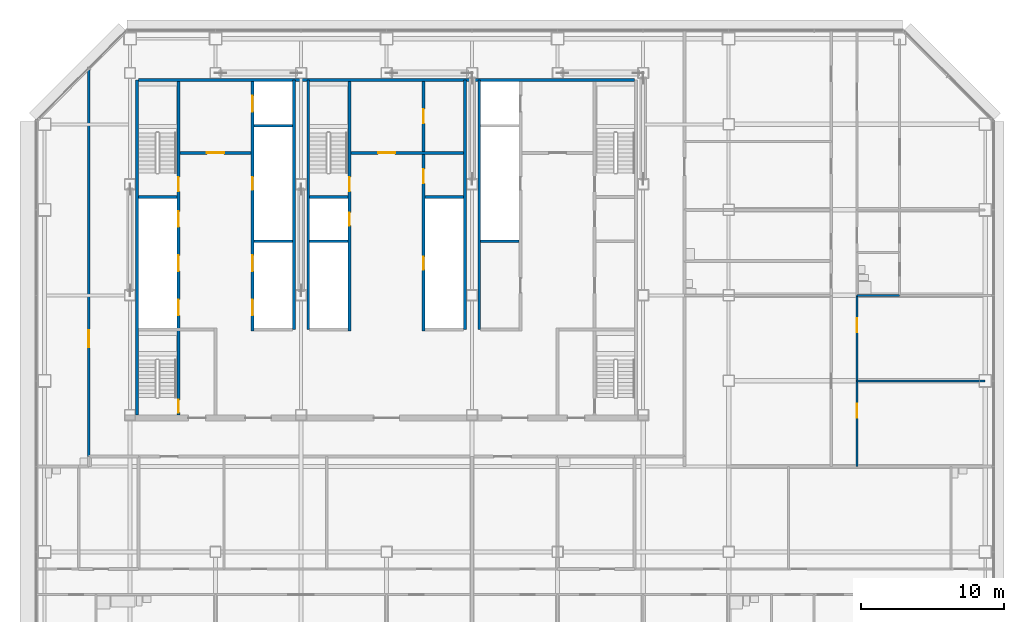
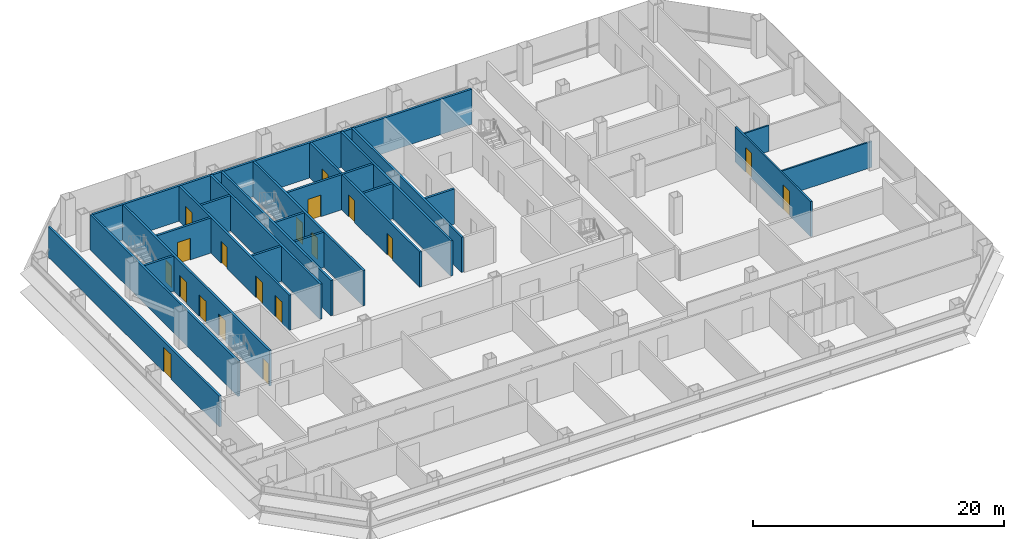
# One storey, part 22 of 27: 23 walls, 19 doors, 19 openings.
"""IFC4 building model written with IfcOpenShell, lengths in metres."""

from ifc_helpers import new_model, si_unit, direction, frame, frame_2d, origin, place, context, subcontext, project, spatial, rectangle, extrude, material, layer, layer_set, type_object, element, fill, save


model = new_model("IFC4")

# Units and contexts
model_context = context("Model", 3, precision=1e-05, world=origin(), true_north=direction((0.0, 1.0)))
body_context = subcontext(model_context, "Body", "Model", "MODEL_VIEW")
ifc_project = project(units=[si_unit("LENGTHUNIT", "METRE"), si_unit("AREAUNIT", "SQUARE_METRE"), si_unit("VOLUMEUNIT", "CUBIC_METRE"), si_unit("PLANEANGLEUNIT", "RADIAN"), si_unit("MASSUNIT", "GRAM", prefix="KILO")], contexts=[model_context])

# Site, building, storey
site_placement = place(None, origin())
site = spatial("IfcSite", under=ifc_project, at=site_placement, CompositionType="ELEMENT")
building_placement = place(site_placement, origin())
building = spatial("IfcBuilding", under=site, at=building_placement, Name="Sorahane Residences", CompositionType="ELEMENT")
storey_placement = place(building_placement, frame((0.0, 0.0, 75.0)))
storey = spatial("IfcBuildingStorey", under=building, at=storey_placement, Name="L15", CompositionType="ELEMENT", Elevation=75.0)

# Walls
ifc_material_1 = material(Name="Concrete C30", Category="concrete")
ifc_layer_1 = layer(ifc_material_1, 0.199951171875)
ifc_layer_set_1 = layer_set([ifc_layer_1], Name="Core face wall 200 EI 180")
wall_type_1 = type_object("IfcWallType", Name="Core face wall 200 EI 180", PredefinedType="SOLIDWALL", material=ifc_layer_set_1)
wall_1_placement = place(storey_placement, frame((6.5, 21.60009765625, 0.0), z_axis=(0.0, 0.0, 1.0), x_axis=(0.0, 1.0, 0.0)))
element("IfcWall", 1, at=wall_1_placement, inside=storey, type_object=wall_type_1, Name="L15 core face wall", PredefinedType="SOLIDWALL", context=body_context, shape_type="SweptSolid", body=[
    extrude(rectangle(XDim=23.5, YDim=0.199951171875, at=frame_2d((11.75, 0.0))), origin(), (0.0, 0.0, 1.0), 3.419921875),
])
wall_2_placement = place(storey_placement, frame((6.60009765625, 45.10009765625, 0.0), z_axis=(0.0, 0.0, 1.0), x_axis=(1.0, 0.0, 0.0)))
element("IfcWall", 2, at=wall_2_placement, inside=storey, type_object=wall_type_1, Name="L15 core face wall", PredefinedType="SOLIDWALL", context=body_context, shape_type="SweptSolid", body=[
    extrude(rectangle(XDim=34.7998046875, YDim=0.199951171875, at=frame_2d((17.39990234375, 0.0))), origin(), (0.0, 0.0, 1.0), 3.419921875),
])
for number, where, z_axis, x_axis, name in (
    (3, (17.5, 27.60009765625, 0.0), (0.0, 0.0, 1.0), (0.0, 1.0, 0.0), "L15 core face wall"),
    (4, (18.5, 27.60009765625, 0.0), (0.0, 0.0, 1.0), (0.0, 1.0, 0.0), "L15 core face wall"),
    (5, (29.5, 27.60009765625, 0.0), (0.0, 0.0, 1.0), (0.0, 1.0, 0.0), "L15 core face wall"),
    (6, (30.5, 27.60009765625, 0.0), (0.0, 0.0, 1.0), (0.0, 1.0, 0.0), "L15 core face wall"),
):
    element("IfcWall", number, at=place(storey_placement, frame(where, z_axis=z_axis, x_axis=x_axis)), inside=storey, type_object=wall_type_1, Name=name, PredefinedType="SOLIDWALL", context=body_context, shape_type="SweptSolid", body=[
        extrude(rectangle(XDim=17.5, YDim=0.199951171875, at=frame_2d((8.75, 0.0))), origin(), (0.0, 0.0, 1.0), 3.419921875),
    ])

# Wall, opening, door
ifc_material_2 = material(Name="Concrete blockwork C20 wall", Category="masonry")
ifc_layer_2 = layer(ifc_material_2, 0.199951171875)
ifc_layer_set_2 = layer_set([ifc_layer_2], Name="Corridor wall 200 EI 120")
wall_type_2 = type_object("IfcWallType", Name="Corridor wall 200 EI 120", PredefinedType="SOLIDWALL", material=ifc_layer_set_2)
wall_3_placement = place(storey_placement, frame((3.10009765625, 18.699951171875, 0.0), z_axis=(0.0, 0.0, 1.0), x_axis=(0.0, 1.0, 0.0)))
wall_3 = element("IfcWall", 7, at=wall_3_placement, inside=storey, type_object=wall_type_2, Name="L15 corridor wall", PredefinedType="SOLIDWALL", context=body_context, shape_type="SweptSolid", body=[
    extrude(rectangle(XDim=27.2490234375, YDim=0.199951171875, at=frame_2d((13.62451171875, 0.0))), origin(), (0.0, 0.0, 1.0), 2.969970703125),
])
opening_1_placement = place(wall_3_placement, frame((7.659912109375, 0.0, 0.0)))
opening_1 = element("IfcOpeningElement", 8, at=opening_1_placement, cuts=wall_3, Name="Opening L15-41", PredefinedType="OPENING", context=body_context, shape_type="SweptSolid", body=[
    extrude(rectangle(XDim=1.199951171875, YDim=2.39990234375, at=frame_2d((0.60009765625, 1.199951171875))), frame((0.0, 0.10986328125, 0.0), z_axis=(0.0, -1.0, 0.0), x_axis=(1.0, 0.0, 0.0)), (0.0, 0.0, 1.0), 0.219970703125),
])
ifc_material_3 = material(Name="Steel", Category="steel")
door_type_1 = type_object("IfcDoorType", Name="Lobby door 1200x2400 FD60", OperationType="NOTDEFINED", PredefinedType="DOOR", material=ifc_material_3)
door_1_placement = place(opening_1_placement, origin())
door_1 = element("IfcDoor", 9, at=door_1_placement, inside=storey, type_object=door_type_1, Name="Lobby door L15-41", OperationType="SINGLE_SWING_RIGHT", OverallHeight=2.39990234375, OverallWidth=1.199951171875, PredefinedType="DOOR", context=body_context, shape_type="SweptSolid", body=[
    extrude(rectangle(XDim=1.199951171875, YDim=2.39990234375, at=frame_2d((0.60009765625, 1.199951171875))), frame((0.0, 0.02490234375, 0.0), z_axis=(0.0, -1.0, 0.0), x_axis=(1.0, 0.0, 0.0)), (0.0, 0.0, 1.0), 0.050048828125),
])
fill(opening_1, door_1)

ifc_material_4 = material(Name="Concrete C30", Category="concrete")
ifc_layer_3 = layer(ifc_material_4, 0.199951171875)
ifc_layer_set_3 = layer_set([ifc_layer_3], Name="Front room wall 200 EI 120")
wall_type_3 = type_object("IfcWallType", Name="Front room wall 200 EI 120", PredefinedType="PARTITIONING", material=ifc_layer_set_3)
wall_4_placement = place(storey_placement, frame((21.5, 40.0, 0.0), z_axis=(0.0, 0.0, 1.0), x_axis=(1.0, 0.0, 0.0)))
wall_4 = element("IfcWall", 10, at=wall_4_placement, inside=storey, type_object=wall_type_3, Name="L15 front room wall", PredefinedType="PARTITIONING", context=body_context, shape_type="SweptSolid", body=[
    extrude(rectangle(XDim=7.89990234375, YDim=0.199951171875, at=frame_2d((3.949951171875, 0.0))), origin(), (0.0, 0.0, 1.0), 3.419921875),
])
opening_2_placement = place(wall_4_placement, frame((1.89990234375, 0.0, 0.0)))
opening_2 = element("IfcOpeningElement", 11, at=opening_2_placement, cuts=wall_4, Name="Opening L15-C07", PredefinedType="OPENING", context=body_context, shape_type="SweptSolid", body=[
    extrude(rectangle(XDim=1.199951171875, YDim=2.10009765625, at=frame_2d((0.60009765625, 1.050048828125))), frame((0.0, 0.10986328125, 0.0), z_axis=(0.0, -1.0, 0.0), x_axis=(1.0, 0.0, 0.0)), (0.0, 0.0, 1.0), 0.219970703125),
])
ifc_material_5 = material(Name="Steel", Category="steel")
door_type_2 = type_object("IfcDoorType", Name="Front room door 1200x2100 FD120", OperationType="NOTDEFINED", PredefinedType="DOOR", material=ifc_material_5)
door_2_placement = place(opening_2_placement, frame((1.199951171875, 0.0, 0.0), z_axis=(0.0, 0.0, 1.0), x_axis=(-1.0, 0.0, 0.0)))
door_2 = element("IfcDoor", 12, at=door_2_placement, inside=storey, type_object=door_type_2, Name="Front room door Stair S3 vestibule L15", OperationType="DOUBLE_DOOR_SINGLE_SWING", OverallHeight=2.10009765625, OverallWidth=1.199951171875, PredefinedType="DOOR", context=body_context, shape_type="SweptSolid", body=[
    extrude(rectangle(XDim=1.199951171875, YDim=2.10009765625, at=frame_2d((0.60009765625, 1.050048828125))), frame((0.0, 0.02490234375, 0.0), z_axis=(0.0, -1.0, 0.0), x_axis=(1.0, 0.0, 0.0)), (0.0, 0.0, 1.0), 0.050048828125),
])
fill(opening_2, door_2)

wall_5_placement = place(storey_placement, frame((9.5, 40.0, 0.0), z_axis=(0.0, 0.0, 1.0), x_axis=(1.0, 0.0, 0.0)))
wall_5 = element("IfcWall", 13, at=wall_5_placement, inside=storey, type_object=wall_type_3, Name="L15 front room wall", PredefinedType="PARTITIONING", context=body_context, shape_type="SweptSolid", body=[
    extrude(rectangle(XDim=5.0, YDim=0.199951171875, at=frame_2d((2.5, 0.0))), origin(), (0.0, 0.0, 1.0), 3.419921875),
])
opening_3_placement = place(wall_5_placement, frame((1.89990234375, 0.0, 0.0)))
opening_3 = element("IfcOpeningElement", 14, at=opening_3_placement, cuts=wall_5, Name="Opening L15-C06", PredefinedType="OPENING", context=body_context, shape_type="SweptSolid", body=[
    extrude(rectangle(XDim=1.199951171875, YDim=2.10009765625, at=frame_2d((0.60009765625, 1.050048828125))), frame((0.0, 0.10986328125, 0.0), z_axis=(0.0, -1.0, 0.0), x_axis=(1.0, 0.0, 0.0)), (0.0, 0.0, 1.0), 0.219970703125),
])
door_3_placement = place(opening_3_placement, frame((1.199951171875, 0.0, 0.0), z_axis=(0.0, 0.0, 1.0), x_axis=(-1.0, 0.0, 0.0)))
door_3 = element("IfcDoor", 15, at=door_3_placement, inside=storey, type_object=door_type_2, Name="Front room door Firefighting lobby FF1 front room L15", OperationType="DOUBLE_DOOR_SINGLE_SWING", OverallHeight=2.10009765625, OverallWidth=1.199951171875, PredefinedType="DOOR", context=body_context, shape_type="SweptSolid", body=[
    extrude(rectangle(XDim=1.199951171875, YDim=2.10009765625, at=frame_2d((0.60009765625, 1.050048828125))), frame((0.0, 0.02490234375, 0.0), z_axis=(0.0, -1.0, 0.0), x_axis=(1.0, 0.0, 0.0)), (0.0, 0.0, 1.0), 0.050048828125),
])
fill(opening_3, door_3)

# Wall, openings, doors
ifc_material_6 = material(Name="Concrete C30", Category="concrete")
ifc_layer_4 = layer(ifc_material_6, 0.199951171875)
ifc_layer_set_4 = layer_set([ifc_layer_4], Name="Lift shaft wall 200 EI 120")
wall_type_4 = type_object("IfcWallType", Name="Lift shaft wall 200 EI 120", PredefinedType="SOLIDWALL", material=ifc_layer_set_4)
wall_6_placement = place(storey_placement, frame((14.60009765625, 27.5, 0.0), z_axis=(0.0, 0.0, 1.0), x_axis=(0.0, 1.0, 0.0)))
wall_6 = element("IfcWall", 16, at=wall_6_placement, inside=storey, type_object=wall_type_4, Name="L15 lift shaft wall", PredefinedType="SOLIDWALL", context=body_context, shape_type="SweptSolid", body=[
    extrude(rectangle(XDim=17.5, YDim=0.199951171875, at=frame_2d((8.75, 0.0))), origin(), (0.0, 0.0, 1.0), 3.419921875),
])
opening_4_placement = place(wall_6_placement, frame((1.10009765625, 0.0, 0.0)))
opening_4 = element("IfcOpeningElement", 17, at=opening_4_placement, cuts=wall_6, Name="Opening L15-C10", PredefinedType="OPENING", context=body_context, shape_type="SweptSolid", body=[
    extrude(rectangle(XDim=1.10009765625, YDim=2.10009765625, at=frame_2d((0.550048828125, 1.050048828125))), frame((0.0, 0.10986328125, 0.0), z_axis=(0.0, -1.0, 0.0), x_axis=(1.0, 0.0, 0.0)), (0.0, 0.0, 1.0), 0.219970703125),
])
opening_5_placement = place(wall_6_placement, frame((4.199951171875, 0.0, 0.0)))
opening_5 = element("IfcOpeningElement", 18, at=opening_5_placement, cuts=wall_6, Name="Opening L15-C11", PredefinedType="OPENING", context=body_context, shape_type="SweptSolid", body=[
    extrude(rectangle(XDim=1.10009765625, YDim=2.10009765625, at=frame_2d((0.550048828125, 1.050048828125))), frame((0.0, 0.10986328125, 0.0), z_axis=(0.0, -1.0, 0.0), x_axis=(1.0, 0.0, 0.0)), (0.0, 0.0, 1.0), 0.219970703125),
])
opening_6_placement = place(wall_6_placement, frame((15.39990234375, 0.0, 0.0)))
opening_6 = element("IfcOpeningElement", 19, at=opening_6_placement, cuts=wall_6, Name="Opening L15-C12", PredefinedType="OPENING", context=body_context, shape_type="SweptSolid", body=[
    extrude(rectangle(XDim=1.10009765625, YDim=2.10009765625, at=frame_2d((0.550048828125, 1.050048828125))), frame((0.0, 0.10986328125, 0.0), z_axis=(0.0, -1.0, 0.0), x_axis=(1.0, 0.0, 0.0)), (0.0, 0.0, 1.0), 0.219970703125),
])
opening_7_placement = place(wall_6_placement, frame((9.89990234375, 0.0, 0.0)))
opening_7 = element("IfcOpeningElement", 20, at=opening_7_placement, cuts=wall_6, Name="Opening L15-C24", PredefinedType="OPENING", context=body_context, shape_type="SweptSolid", body=[
    extrude(rectangle(XDim=0.89990234375, YDim=2.10009765625, at=frame_2d((0.449951171875, 1.050048828125))), frame((0.0, 0.10986328125, 0.0), z_axis=(0.0, -1.0, 0.0), x_axis=(1.0, 0.0, 0.0)), (0.0, 0.0, 1.0), 0.219970703125),
])
ifc_material_7 = material(Name="Aluminium and stainless steel", Category="steel")
door_type_3 = type_object("IfcDoorType", Name="Lift landing door 1100x2100 E 60", OperationType="NOTDEFINED", PredefinedType="DOOR", material=ifc_material_7)
door_4_placement = place(opening_4_placement, origin())
door_4 = element("IfcDoor", 21, at=door_4_placement, inside=storey, type_object=door_type_3, Name="Lift landing door LR4 L15", OperationType="DOUBLE_DOOR_SLIDING", OverallHeight=2.10009765625, OverallWidth=1.10009765625, PredefinedType="DOOR", context=body_context, shape_type="SweptSolid", body=[
    extrude(rectangle(XDim=1.10009765625, YDim=2.10009765625, at=frame_2d((0.550048828125, 1.050048828125))), frame((0.0, 0.02490234375, 0.0), z_axis=(0.0, -1.0, 0.0), x_axis=(1.0, 0.0, 0.0)), (0.0, 0.0, 1.0), 0.050048828125),
])
fill(opening_4, door_4)
door_5_placement = place(opening_5_placement, origin())
door_5 = element("IfcDoor", 22, at=door_5_placement, inside=storey, type_object=door_type_3, Name="Lift landing door LR5 L15", OperationType="DOUBLE_DOOR_SLIDING", OverallHeight=2.10009765625, OverallWidth=1.10009765625, PredefinedType="DOOR", context=body_context, shape_type="SweptSolid", body=[
    extrude(rectangle(XDim=1.10009765625, YDim=2.10009765625, at=frame_2d((0.550048828125, 1.050048828125))), frame((0.0, 0.02490234375, 0.0), z_axis=(0.0, -1.0, 0.0), x_axis=(1.0, 0.0, 0.0)), (0.0, 0.0, 1.0), 0.050048828125),
])
fill(opening_5, door_5)
door_6_placement = place(opening_6_placement, origin())
door_6 = element("IfcDoor", 23, at=door_6_placement, inside=storey, type_object=door_type_3, Name="Lift landing door FF1 L15", OperationType="DOUBLE_DOOR_SLIDING", OverallHeight=2.10009765625, OverallWidth=1.10009765625, PredefinedType="DOOR", context=body_context, shape_type="SweptSolid", body=[
    extrude(rectangle(XDim=1.10009765625, YDim=2.10009765625, at=frame_2d((0.550048828125, 1.050048828125))), frame((0.0, 0.02490234375, 0.0), z_axis=(0.0, -1.0, 0.0), x_axis=(1.0, 0.0, 0.0)), (0.0, 0.0, 1.0), 0.050048828125),
])
fill(opening_6, door_6)
ifc_material_8 = material(Name="Steel", Category="steel")
door_type_4 = type_object("IfcDoorType", Name="Riser door 900x2100 FD120", OperationType="NOTDEFINED", PredefinedType="DOOR", material=ifc_material_8)
door_7_placement = place(opening_7_placement, origin())
door_7 = element("IfcDoor", 24, at=door_7_placement, inside=storey, type_object=door_type_4, Name="Riser door R1 L15", OperationType="SINGLE_SWING_LEFT", OverallHeight=2.10009765625, OverallWidth=0.89990234375, PredefinedType="DOOR", context=body_context, shape_type="SweptSolid", body=[
    extrude(rectangle(XDim=0.89990234375, YDim=2.10009765625, at=frame_2d((0.449951171875, 1.050048828125))), frame((0.0, 0.02490234375, 0.0), z_axis=(0.0, -1.0, 0.0), x_axis=(1.0, 0.0, 0.0)), (0.0, 0.0, 1.0), 0.050048828125),
])
fill(opening_7, door_7)

# Walls
for number, where, z_axis, x_axis, name in (
    (25, (14.699951171875, 33.800048828125, 0.0), (0.0, 0.0, 1.0), (1.0, 0.0, 0.0), "L15 lift shaft wall"),
    (26, (18.60009765625, 33.800048828125, 0.0), (0.0, 0.0, 1.0), (1.0, 0.0, 0.0), "L15 lift shaft wall"),
    (27, (14.699951171875, 41.89990234375, 0.0), (0.0, 0.0, 1.0), (1.0, 0.0, 0.0), "L15 lift shaft wall"),
):
    element("IfcWall", number, at=place(storey_placement, frame(where, z_axis=z_axis, x_axis=x_axis)), inside=storey, type_object=wall_type_4, Name=name, PredefinedType="SOLIDWALL", context=body_context, shape_type="SweptSolid", body=[
        extrude(rectangle(XDim=2.699951171875, YDim=0.199951171875, at=frame_2d((1.35009765625, 0.0))), origin(), (0.0, 0.0, 1.0), 3.419921875),
    ])

# Wall, openings, doors
ifc_material_9 = material(Name="Gypsum board partition on steel studs", Category="steel")
ifc_layer_5 = layer(ifc_material_9, 0.14990234375)
ifc_layer_set_5 = layer_set([ifc_layer_5], Name="Partition 150 EI 90")
wall_type_5 = type_object("IfcWallType", Name="Partition 150 EI 90", PredefinedType="PARTITIONING", material=ifc_layer_set_5)
wall_7_placement = place(storey_placement, frame((57.0, 18.0, 0.0), z_axis=(0.0, 0.0, 1.0), x_axis=(0.0, 1.0, 0.0)))
wall_7 = element("IfcWall", 28, at=wall_7_placement, inside=storey, type_object=wall_type_5, Name="L15 partition", PredefinedType="PARTITIONING", context=body_context, shape_type="SweptSolid", body=[
    extrude(rectangle(XDim=12.0, YDim=0.14990234375, at=frame_2d((6.0, 0.0))), origin(), (0.0, 0.0, 1.0), 3.419921875),
])
opening_8_placement = place(wall_7_placement, frame((3.39990234375, 0.0, 0.0)))
opening_8 = element("IfcOpeningElement", 29, at=opening_8_placement, cuts=wall_7, Name="Opening L15-31", PredefinedType="OPENING", context=body_context, shape_type="SweptSolid", body=[
    extrude(rectangle(XDim=1.0, YDim=2.39990234375, at=frame_2d((0.5, 1.199951171875))), frame((0.0, 0.0849609375, 0.0), z_axis=(0.0, -1.0, 0.0), x_axis=(1.0, 0.0, 0.0)), (0.0, 0.0, 1.0), 0.169921875),
])
opening_9_placement = place(wall_7_placement, frame((9.39990234375, 0.0, 0.0)))
opening_9 = element("IfcOpeningElement", 30, at=opening_9_placement, cuts=wall_7, Name="Opening L15-32", PredefinedType="OPENING", context=body_context, shape_type="SweptSolid", body=[
    extrude(rectangle(XDim=1.0, YDim=2.39990234375, at=frame_2d((0.5, 1.199951171875))), frame((0.0, 0.0849609375, 0.0), z_axis=(0.0, -1.0, 0.0), x_axis=(1.0, 0.0, 0.0)), (0.0, 0.0, 1.0), 0.169921875),
])
ifc_material_10 = material(Name="Timber veneered fire door", Category="wood")
door_type_5 = type_object("IfcDoorType", Name="Room door 1000x2400 FD30", OperationType="NOTDEFINED", PredefinedType="DOOR", material=ifc_material_10)
door_8_placement = place(opening_8_placement, frame((1.0, 0.0, 0.0), z_axis=(0.0, 0.0, 1.0), x_axis=(-1.0, 0.0, 0.0)))
door_8 = element("IfcDoor", 31, at=door_8_placement, inside=storey, type_object=door_type_5, Name="Room door L15-31", OperationType="SINGLE_SWING_RIGHT", OverallHeight=2.39990234375, OverallWidth=1.0, PredefinedType="DOOR", context=body_context, shape_type="SweptSolid", body=[
    extrude(rectangle(XDim=1.0, YDim=2.39990234375, at=frame_2d((0.5, 1.199951171875))), frame((0.0, 0.02490234375, 0.0), z_axis=(0.0, -1.0, 0.0), x_axis=(1.0, 0.0, 0.0)), (0.0, 0.0, 1.0), 0.050048828125),
])
fill(opening_8, door_8)
door_9_placement = place(opening_9_placement, frame((1.0, 0.0, 0.0), z_axis=(0.0, 0.0, 1.0), x_axis=(-1.0, 0.0, 0.0)))
door_9 = element("IfcDoor", 32, at=door_9_placement, inside=storey, type_object=door_type_5, Name="Room door L15-32", OperationType="SINGLE_SWING_LEFT", OverallHeight=2.39990234375, OverallWidth=1.0, PredefinedType="DOOR", context=body_context, shape_type="SweptSolid", body=[
    extrude(rectangle(XDim=1.0, YDim=2.39990234375, at=frame_2d((0.5, 1.199951171875))), frame((0.0, 0.02490234375, 0.0), z_axis=(0.0, -1.0, 0.0), x_axis=(1.0, 0.0, 0.0)), (0.0, 0.0, 1.0), 0.050048828125),
])
fill(opening_9, door_9)

# Wall
wall_8_placement = place(storey_placement, frame((57.0, 24.0, 0.0), z_axis=(0.0, 0.0, 1.0), x_axis=(1.0, 0.0, 0.0)))
element("IfcWall", 33, at=wall_8_placement, inside=storey, type_object=wall_type_5, Name="L15 partition", PredefinedType="PARTITIONING", context=body_context, shape_type="SweptSolid", body=[
    extrude(rectangle(XDim=9.0, YDim=0.14990234375, at=frame_2d((4.5, 0.0))), origin(), (0.0, 0.0, 1.0), 2.52001953125),
])

# Wall, openings, doors
ifc_material_11 = material(Name="Concrete C30", Category="concrete")
ifc_layer_6 = layer(ifc_material_11, 0.199951171875)
ifc_layer_set_6 = layer_set([ifc_layer_6], Name="Riser shaft wall 200 EI 120")
wall_type_6 = type_object("IfcWallType", Name="Riser shaft wall 200 EI 120", PredefinedType="SOLIDWALL", material=ifc_layer_set_6)
wall_9_placement = place(storey_placement, frame((26.60009765625, 27.5, 0.0), z_axis=(0.0, 0.0, 1.0), x_axis=(0.0, 1.0, 0.0)))
wall_9 = element("IfcWall", 34, at=wall_9_placement, inside=storey, type_object=wall_type_6, Name="L15 riser wall", PredefinedType="SOLIDWALL", context=body_context, shape_type="SweptSolid", body=[
    extrude(rectangle(XDim=17.5, YDim=0.199951171875, at=frame_2d((8.75, 0.0))), origin(), (0.0, 0.0, 1.0), 3.419921875),
])
opening_10_placement = place(wall_9_placement, frame((4.300048828125, 0.0, 0.0)))
opening_10 = element("IfcOpeningElement", 35, at=opening_10_placement, cuts=wall_9, Name="Opening L15-C27", PredefinedType="OPENING", context=body_context, shape_type="SweptSolid", body=[
    extrude(rectangle(XDim=0.89990234375, YDim=2.10009765625, at=frame_2d((0.449951171875, 1.050048828125))), frame((0.0, 0.10986328125, 0.0), z_axis=(0.0, -1.0, 0.0), x_axis=(1.0, 0.0, 0.0)), (0.0, 0.0, 1.0), 0.219970703125),
])
opening_11_placement = place(wall_9_placement, frame((10.35009765625, 0.0, 0.0)))
opening_11 = element("IfcOpeningElement", 36, at=opening_11_placement, cuts=wall_9, Name="Opening L15-C28", PredefinedType="OPENING", context=body_context, shape_type="SweptSolid", body=[
    extrude(rectangle(XDim=1.0, YDim=2.10009765625, at=frame_2d((0.5, 1.050048828125))), frame((0.0, 0.10986328125, 0.0), z_axis=(0.0, -1.0, 0.0), x_axis=(1.0, 0.0, 0.0)), (0.0, 0.0, 1.0), 0.219970703125),
])
opening_12_placement = place(wall_9_placement, frame((14.574951171875, 0.0, 0.0)))
opening_12 = element("IfcOpeningElement", 37, at=opening_12_placement, cuts=wall_9, Name="Opening L15-C29", PredefinedType="OPENING", context=body_context, shape_type="SweptSolid", body=[
    extrude(rectangle(XDim=1.0, YDim=2.10009765625, at=frame_2d((0.5, 1.050048828125))), frame((0.0, 0.10986328125, 0.0), z_axis=(0.0, -1.0, 0.0), x_axis=(1.0, 0.0, 0.0)), (0.0, 0.0, 1.0), 0.219970703125),
])
door_10_placement = place(opening_10_placement, origin())
door_10 = element("IfcDoor", 38, at=door_10_placement, inside=storey, type_object=door_type_4, Name="Riser door R4 L15", OperationType="SINGLE_SWING_LEFT", OverallHeight=2.10009765625, OverallWidth=0.89990234375, PredefinedType="DOOR", context=body_context, shape_type="SweptSolid", body=[
    extrude(rectangle(XDim=0.89990234375, YDim=2.10009765625, at=frame_2d((0.449951171875, 1.050048828125))), frame((0.0, 0.02490234375, 0.0), z_axis=(0.0, -1.0, 0.0), x_axis=(1.0, 0.0, 0.0)), (0.0, 0.0, 1.0), 0.050048828125),
])
fill(opening_10, door_10)
ifc_material_12 = material(Name="Steel", Category="steel")
door_type_6 = type_object("IfcDoorType", Name="Service room door 1000x2100 FD60", OperationType="NOTDEFINED", PredefinedType="DOOR", material=ifc_material_12)
door_11_placement = place(opening_11_placement, frame((1.0, 0.0, 0.0), z_axis=(0.0, 0.0, 1.0), x_axis=(-1.0, 0.0, 0.0)))
door_11 = element("IfcDoor", 39, at=door_11_placement, inside=storey, type_object=door_type_6, Name="Service room door Linen room L15", OperationType="SINGLE_SWING_LEFT", OverallHeight=2.10009765625, OverallWidth=1.0, PredefinedType="DOOR", context=body_context, shape_type="SweptSolid", body=[
    extrude(rectangle(XDim=1.0, YDim=2.10009765625, at=frame_2d((0.5, 1.050048828125))), frame((0.0, 0.02490234375, 0.0), z_axis=(0.0, -1.0, 0.0), x_axis=(1.0, 0.0, 0.0)), (0.0, 0.0, 1.0), 0.050048828125),
])
fill(opening_11, door_11)
door_12_placement = place(opening_12_placement, frame((1.0, 0.0, 0.0), z_axis=(0.0, 0.0, 1.0), x_axis=(-1.0, 0.0, 0.0)))
door_12 = element("IfcDoor", 40, at=door_12_placement, inside=storey, type_object=door_type_6, Name="Service room door Cleaners' store L15", OperationType="SINGLE_SWING_LEFT", OverallHeight=2.10009765625, OverallWidth=1.0, PredefinedType="DOOR", context=body_context, shape_type="SweptSolid", body=[
    extrude(rectangle(XDim=1.0, YDim=2.10009765625, at=frame_2d((0.5, 1.050048828125))), frame((0.0, 0.02490234375, 0.0), z_axis=(0.0, -1.0, 0.0), x_axis=(1.0, 0.0, 0.0)), (0.0, 0.0, 1.0), 0.050048828125),
])
fill(opening_12, door_12)

# Walls
for number, where, z_axis, x_axis, name in (
    (41, (30.60009765625, 33.800048828125, 0.0), (0.0, 0.0, 1.0), (1.0, 0.0, 0.0), "L15 riser wall"),
    (42, (26.699951171875, 36.89990234375, 0.0), (0.0, 0.0, 1.0), (1.0, 0.0, 0.0), "L15 riser wall"),
):
    element("IfcWall", number, at=place(storey_placement, frame(where, z_axis=z_axis, x_axis=x_axis)), inside=storey, type_object=wall_type_6, Name=name, PredefinedType="SOLIDWALL", context=body_context, shape_type="SweptSolid", body=[
        extrude(rectangle(XDim=2.699951171875, YDim=0.199951171875, at=frame_2d((1.35009765625, 0.0))), origin(), (0.0, 0.0, 1.0), 3.419921875),
    ])

# Wall, openings, doors
ifc_material_13 = material(Name="Concrete C30", Category="concrete")
ifc_layer_7 = layer(ifc_material_13, 0.199951171875)
ifc_layer_set_7 = layer_set([ifc_layer_7], Name="Stair enclosure wall 200 EI 120")
wall_type_7 = type_object("IfcWallType", Name="Stair enclosure wall 200 EI 120", PredefinedType="SOLIDWALL", material=ifc_layer_set_7)
wall_10_placement = place(storey_placement, frame((21.39990234375, 27.5, 0.0), z_axis=(0.0, 0.0, 1.0), x_axis=(0.0, 1.0, 0.0)))
wall_10 = element("IfcWall", 43, at=wall_10_placement, inside=storey, type_object=wall_type_7, Name="L15 stair enclosure wall", PredefinedType="SOLIDWALL", context=body_context, shape_type="SweptSolid", body=[
    extrude(rectangle(XDim=17.5, YDim=0.199951171875, at=frame_2d((8.75, 0.0))), origin(), (0.0, 0.0, 1.0), 3.419921875),
])
opening_13_placement = place(wall_10_placement, frame((9.800048828125, 0.0, 0.0)))
opening_13 = element("IfcOpeningElement", 44, at=opening_13_placement, cuts=wall_10, Name="Opening L15-C21", PredefinedType="OPENING", context=body_context, shape_type="SweptSolid", body=[
    extrude(rectangle(XDim=1.0, YDim=2.10009765625, at=frame_2d((0.5, 1.050048828125))), frame((0.0, 0.10986328125, 0.0), z_axis=(0.0, -1.0, 0.0), x_axis=(1.0, 0.0, 0.0)), (0.0, 0.0, 1.0), 0.219970703125),
])
opening_14_placement = place(wall_10_placement, frame((7.39990234375, 0.0, 0.0)))
opening_14 = element("IfcOpeningElement", 45, at=opening_14_placement, cuts=wall_10, Name="Opening L15-C26", PredefinedType="OPENING", context=body_context, shape_type="SweptSolid", body=[
    extrude(rectangle(XDim=0.89990234375, YDim=2.10009765625, at=frame_2d((0.449951171875, 1.050048828125))), frame((0.0, 0.10986328125, 0.0), z_axis=(0.0, -1.0, 0.0), x_axis=(1.0, 0.0, 0.0)), (0.0, 0.0, 1.0), 0.219970703125),
])
door_13_placement = place(opening_14_placement, frame((0.89990234375, 0.0, 0.0), z_axis=(0.0, 0.0, 1.0), x_axis=(-1.0, 0.0, 0.0)))
door_13 = element("IfcDoor", 46, at=door_13_placement, inside=storey, type_object=door_type_4, Name="Riser door R3 L15", OperationType="SINGLE_SWING_LEFT", OverallHeight=2.10009765625, OverallWidth=0.89990234375, PredefinedType="DOOR", context=body_context, shape_type="SweptSolid", body=[
    extrude(rectangle(XDim=0.89990234375, YDim=2.10009765625, at=frame_2d((0.449951171875, 1.050048828125))), frame((0.0, 0.02490234375, 0.0), z_axis=(0.0, -1.0, 0.0), x_axis=(1.0, 0.0, 0.0)), (0.0, 0.0, 1.0), 0.050048828125),
])
fill(opening_14, door_13)
ifc_material_14 = material(Name="Steel", Category="steel")
door_type_7 = type_object("IfcDoorType", Name="Stair door 1000x2100 FD120", OperationType="NOTDEFINED", PredefinedType="DOOR", material=ifc_material_14)
door_14_placement = place(opening_13_placement, origin())
door_14 = element("IfcDoor", 47, at=door_14_placement, inside=storey, type_object=door_type_7, Name="Stair door S3 L15", OperationType="SINGLE_SWING_LEFT", OverallHeight=2.10009765625, OverallWidth=1.0, PredefinedType="DOOR", context=body_context, shape_type="SweptSolid", body=[
    extrude(rectangle(XDim=1.0, YDim=2.10009765625, at=frame_2d((0.5, 1.050048828125))), frame((0.0, 0.02490234375, 0.0), z_axis=(0.0, -1.0, 0.0), x_axis=(1.0, 0.0, 0.0)), (0.0, 0.0, 1.0), 0.050048828125),
])
fill(opening_13, door_14)

wall_11_placement = place(storey_placement, frame((9.39990234375, 21.60009765625, 0.0), z_axis=(0.0, 0.0, 1.0), x_axis=(0.0, 1.0, 0.0)))
wall_11 = element("IfcWall", 48, at=wall_11_placement, inside=storey, type_object=wall_type_7, Name="L15 stair enclosure wall", PredefinedType="SOLIDWALL", context=body_context, shape_type="SweptSolid", body=[
    extrude(rectangle(XDim=23.39990234375, YDim=0.199951171875, at=frame_2d((11.699951171875, 0.0))), origin(), (0.0, 0.0, 1.0), 3.419921875),
])
opening_15_placement = place(wall_11_placement, frame((7.0, 0.0, 0.0)))
opening_15 = element("IfcOpeningElement", 49, at=opening_15_placement, cuts=wall_11, Name="Opening L15-C13", PredefinedType="OPENING", context=body_context, shape_type="SweptSolid", body=[
    extrude(rectangle(XDim=1.10009765625, YDim=2.10009765625, at=frame_2d((0.550048828125, 1.050048828125))), frame((0.0, 0.10986328125, 0.0), z_axis=(0.0, -1.0, 0.0), x_axis=(1.0, 0.0, 0.0)), (0.0, 0.0, 1.0), 0.219970703125),
])
opening_16_placement = place(wall_11_placement, frame((10.10009765625, 0.0, 0.0)))
opening_16 = element("IfcOpeningElement", 50, at=opening_16_placement, cuts=wall_11, Name="Opening L15-C14", PredefinedType="OPENING", context=body_context, shape_type="SweptSolid", body=[
    extrude(rectangle(XDim=1.10009765625, YDim=2.10009765625, at=frame_2d((0.550048828125, 1.050048828125))), frame((0.0, 0.10986328125, 0.0), z_axis=(0.0, -1.0, 0.0), x_axis=(1.0, 0.0, 0.0)), (0.0, 0.0, 1.0), 0.219970703125),
])
opening_17_placement = place(wall_11_placement, frame((13.199951171875, 0.0, 0.0)))
opening_17 = element("IfcOpeningElement", 51, at=opening_17_placement, cuts=wall_11, Name="Opening L15-C15", PredefinedType="OPENING", context=body_context, shape_type="SweptSolid", body=[
    extrude(rectangle(XDim=1.10009765625, YDim=2.10009765625, at=frame_2d((0.550048828125, 1.050048828125))), frame((0.0, 0.10986328125, 0.0), z_axis=(0.0, -1.0, 0.0), x_axis=(1.0, 0.0, 0.0)), (0.0, 0.0, 1.0), 0.219970703125),
])
opening_18_placement = place(wall_11_placement, frame((15.699951171875, 0.0, 0.0)))
opening_18 = element("IfcOpeningElement", 52, at=opening_18_placement, cuts=wall_11, Name="Opening L15-C19", PredefinedType="OPENING", context=body_context, shape_type="SweptSolid", body=[
    extrude(rectangle(XDim=1.0, YDim=2.10009765625, at=frame_2d((0.5, 1.050048828125))), frame((0.0, 0.10986328125, 0.0), z_axis=(0.0, -1.0, 0.0), x_axis=(1.0, 0.0, 0.0)), (0.0, 0.0, 1.0), 0.219970703125),
])
opening_19_placement = place(wall_11_placement, frame((0.175048828125, 0.0, 0.0)))
opening_19 = element("IfcOpeningElement", 53, at=opening_19_placement, cuts=wall_11, Name="Opening L15-C22", PredefinedType="OPENING", context=body_context, shape_type="SweptSolid", body=[
    extrude(rectangle(XDim=0.89990234375, YDim=2.10009765625, at=frame_2d((0.449951171875, 1.050048828125))), frame((0.0, 0.10986328125, 0.0), z_axis=(0.0, -1.0, 0.0), x_axis=(1.0, 0.0, 0.0)), (0.0, 0.0, 1.0), 0.219970703125),
])
door_15_placement = place(opening_15_placement, origin())
door_15 = element("IfcDoor", 54, at=door_15_placement, inside=storey, type_object=door_type_3, Name="Lift landing door LR1 L15", OperationType="DOUBLE_DOOR_SLIDING", OverallHeight=2.10009765625, OverallWidth=1.10009765625, PredefinedType="DOOR", context=body_context, shape_type="SweptSolid", body=[
    extrude(rectangle(XDim=1.10009765625, YDim=2.10009765625, at=frame_2d((0.550048828125, 1.050048828125))), frame((0.0, 0.02490234375, 0.0), z_axis=(0.0, -1.0, 0.0), x_axis=(1.0, 0.0, 0.0)), (0.0, 0.0, 1.0), 0.050048828125),
])
fill(opening_15, door_15)
door_16_placement = place(opening_16_placement, origin())
door_16 = element("IfcDoor", 55, at=door_16_placement, inside=storey, type_object=door_type_3, Name="Lift landing door LR2 L15", OperationType="DOUBLE_DOOR_SLIDING", OverallHeight=2.10009765625, OverallWidth=1.10009765625, PredefinedType="DOOR", context=body_context, shape_type="SweptSolid", body=[
    extrude(rectangle(XDim=1.10009765625, YDim=2.10009765625, at=frame_2d((0.550048828125, 1.050048828125))), frame((0.0, 0.02490234375, 0.0), z_axis=(0.0, -1.0, 0.0), x_axis=(1.0, 0.0, 0.0)), (0.0, 0.0, 1.0), 0.050048828125),
])
fill(opening_16, door_16)
door_17_placement = place(opening_17_placement, origin())
door_17 = element("IfcDoor", 56, at=door_17_placement, inside=storey, type_object=door_type_3, Name="Lift landing door LR3 L15", OperationType="DOUBLE_DOOR_SLIDING", OverallHeight=2.10009765625, OverallWidth=1.10009765625, PredefinedType="DOOR", context=body_context, shape_type="SweptSolid", body=[
    extrude(rectangle(XDim=1.10009765625, YDim=2.10009765625, at=frame_2d((0.550048828125, 1.050048828125))), frame((0.0, 0.02490234375, 0.0), z_axis=(0.0, -1.0, 0.0), x_axis=(1.0, 0.0, 0.0)), (0.0, 0.0, 1.0), 0.050048828125),
])
fill(opening_17, door_17)
door_18_placement = place(opening_18_placement, origin())
door_18 = element("IfcDoor", 57, at=door_18_placement, inside=storey, type_object=door_type_7, Name="Stair door S1 L15", OperationType="SINGLE_SWING_LEFT", OverallHeight=2.10009765625, OverallWidth=1.0, PredefinedType="DOOR", context=body_context, shape_type="SweptSolid", body=[
    extrude(rectangle(XDim=1.0, YDim=2.10009765625, at=frame_2d((0.5, 1.050048828125))), frame((0.0, 0.02490234375, 0.0), z_axis=(0.0, -1.0, 0.0), x_axis=(1.0, 0.0, 0.0)), (0.0, 0.0, 1.0), 0.050048828125),
])
fill(opening_18, door_18)
ifc_material_15 = material(Name="Steel", Category="steel")
door_type_8 = type_object("IfcDoorType", Name="Stair door 900x2100 FD120", OperationType="NOTDEFINED", PredefinedType="DOOR", material=ifc_material_15)
door_19_placement = place(opening_19_placement, origin())
door_19 = element("IfcDoor", 58, at=door_19_placement, inside=storey, type_object=door_type_8, Name="Stair door S4 L15", OperationType="SINGLE_SWING_LEFT", OverallHeight=2.10009765625, OverallWidth=0.89990234375, PredefinedType="DOOR", context=body_context, shape_type="SweptSolid", body=[
    extrude(rectangle(XDim=0.89990234375, YDim=2.10009765625, at=frame_2d((0.449951171875, 1.050048828125))), frame((0.0, 0.02490234375, 0.0), z_axis=(0.0, -1.0, 0.0), x_axis=(1.0, 0.0, 0.0)), (0.0, 0.0, 1.0), 0.050048828125),
])
fill(opening_19, door_19)

# Walls
for number, where, z_axis, x_axis, name in (
    (59, (18.60009765625, 36.89990234375, 0.0), (0.0, 0.0, 1.0), (1.0, 0.0, 0.0), "L15 stair enclosure wall"),
    (60, (6.60009765625, 36.89990234375, 0.0), (0.0, 0.0, 1.0), (1.0, 0.0, 0.0), "L15 stair enclosure wall"),
):
    element("IfcWall", number, at=place(storey_placement, frame(where, z_axis=z_axis, x_axis=x_axis)), inside=storey, type_object=wall_type_7, Name=name, PredefinedType="SOLIDWALL", context=body_context, shape_type="SweptSolid", body=[
        extrude(rectangle(XDim=2.699951171875, YDim=0.199951171875, at=frame_2d((1.35009765625, 0.0))), origin(), (0.0, 0.0, 1.0), 3.419921875),
    ])
ifc_material_16 = material(Name="Gypsum board partition on steel studs", Category="steel")
ifc_layer_8 = layer(ifc_material_16, 0.14990234375)
ifc_layer_set_8 = layer_set([ifc_layer_8], Name="Wet wall 150 EI 90")
wall_type_8 = type_object("IfcWallType", Name="Wet wall 150 EI 90", PredefinedType="PARTITIONING", material=ifc_layer_set_8)
wall_12_placement = place(storey_placement, frame((57.0, 30.0, 0.0), z_axis=(0.0, 0.0, 1.0), x_axis=(1.0, 0.0, 0.0)))
element("IfcWall", 61, at=wall_12_placement, inside=storey, type_object=wall_type_8, Name="L15 wet wall", PredefinedType="PARTITIONING", context=body_context, shape_type="SweptSolid", body=[
    extrude(rectangle(XDim=3.0, YDim=0.14990234375, at=frame_2d((1.5, 0.0))), origin(), (0.0, 0.0, 1.0), 2.52001953125),
])

save(model, "model.ifc")
